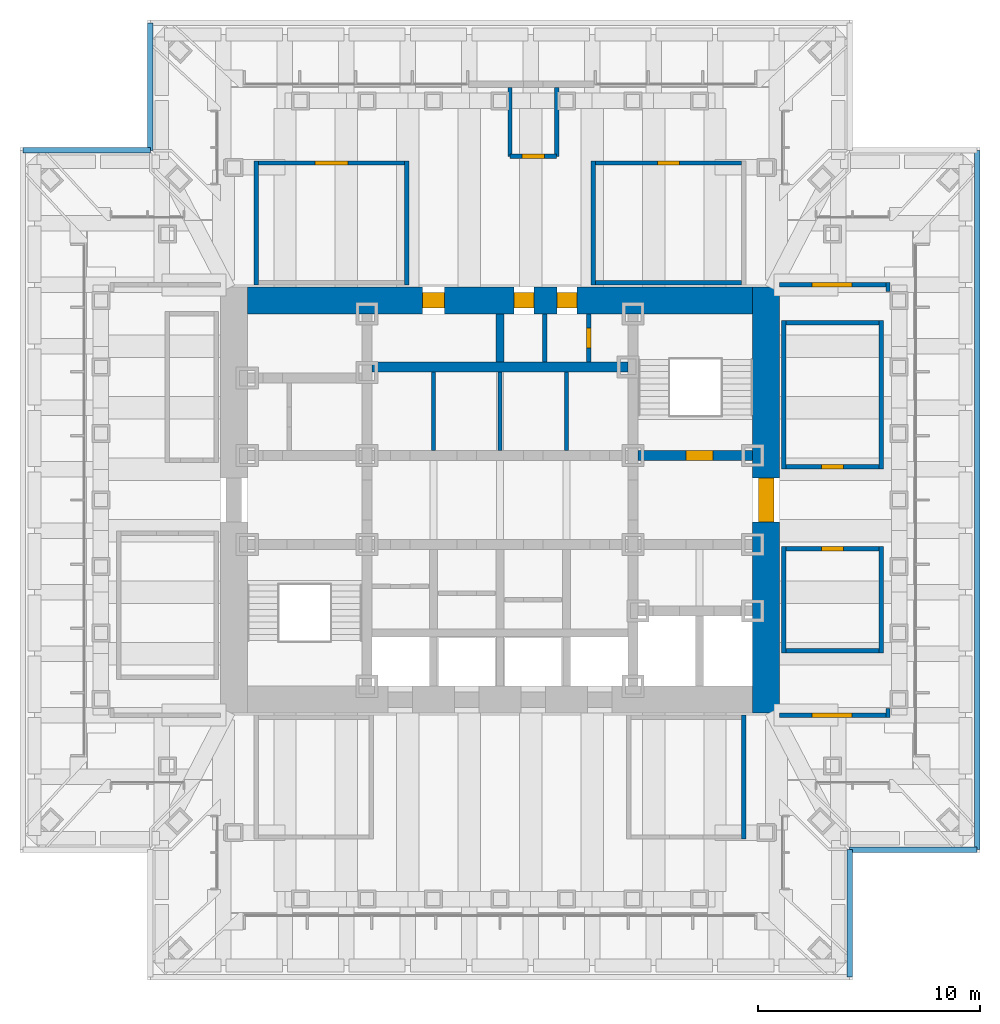
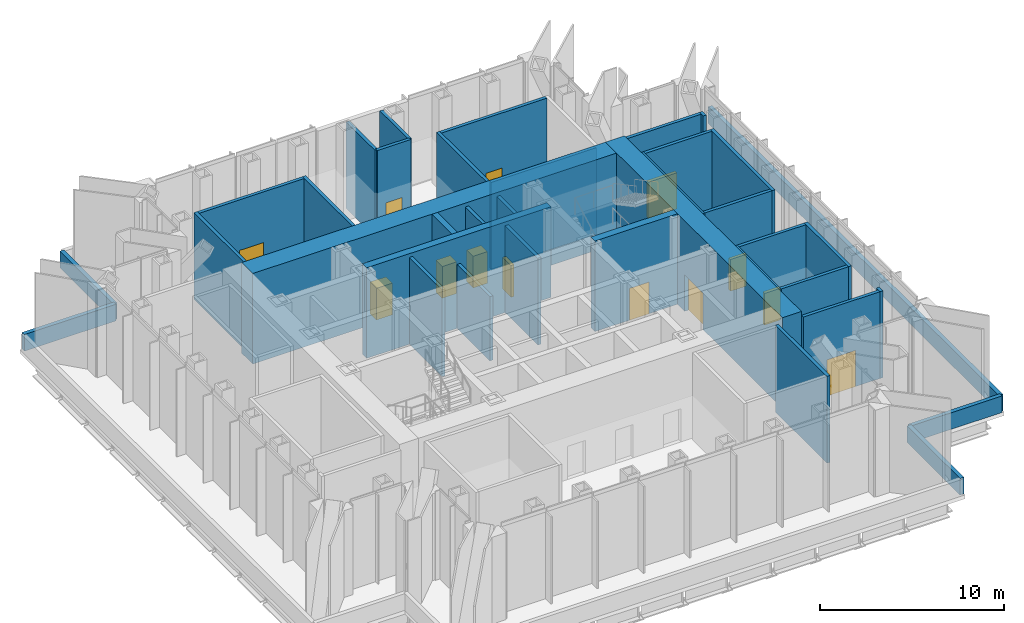
# One storey, part 10 of 13: 37 walls, 13 doors, 13 openings.
"""IFC4 building model written with IfcOpenShell, lengths in metres."""

from ifc_helpers import new_model, si_unit, direction, frame, frame_2d, origin, place, context, subcontext, project, spatial, rectangle, extrude, material, layer, layer_set, type_object, element, fill, save


model = new_model("IFC4")

# Units and contexts
model_context = context("Model", 3, precision=1e-05, world=origin(), true_north=direction((0.0, 1.0)))
body_context = subcontext(model_context, "Body", "Model", "MODEL_VIEW")
ifc_project = project(units=[si_unit("LENGTHUNIT", "METRE"), si_unit("AREAUNIT", "SQUARE_METRE"), si_unit("VOLUMEUNIT", "CUBIC_METRE"), si_unit("PLANEANGLEUNIT", "RADIAN"), si_unit("MASSUNIT", "GRAM", prefix="KILO")], contexts=[model_context])

# Site, building, storey
site_placement = place(None, origin())
site = spatial("IfcSite", under=ifc_project, at=site_placement, CompositionType="ELEMENT")
building_placement = place(site_placement, origin())
building = spatial("IfcBuilding", under=site, at=building_placement, Name="Daluyong Arena Tower", CompositionType="ELEMENT")
storey_placement = place(building_placement, frame((0.0, 0.0, 279.699951171875)))
storey = spatial("IfcBuildingStorey", under=building, at=storey_placement, Name="L63", CompositionType="ELEMENT", Elevation=279.699951171875)

# Wall, opening, door
ifc_material_1 = material(Name="Concrete fc' 45 MPa", Category="concrete")
ifc_layer_1 = layer(ifc_material_1, 0.449951171875)
ifc_layer_set_1 = layer_set([ifc_layer_1], Name="Concrete fc' 45 MPa")
wall_type_1 = type_object("IfcWallType", Name="Core inner wall 450", PredefinedType="SHEAR", material=ifc_layer_set_1)
wall_1_placement = place(storey_placement, frame((62.22509765625, 82.0, 0.0), z_axis=(0.0, 0.0, 1.0), x_axis=(1.0, 0.0, 0.0)))
wall_1 = element("IfcWall", 1, at=wall_1_placement, inside=storey, type_object=wall_type_1, Name="core inner wall at L63", PredefinedType="SHEAR", context=body_context, shape_type="SweptSolid", body=[
    extrude(rectangle(XDim=5.1748046875, YDim=0.449951171875, at=frame_2d((2.58740234375, 0.0))), origin(), (0.0, 0.0, 1.0), 6.0),
])
opening_1_placement = place(wall_1_placement, frame((2.175048828125, 0.0, 0.0)))
opening_1 = element("IfcOpeningElement", 2, at=opening_1_placement, cuts=wall_1, Name="Opening 63020", PredefinedType="OPENING", context=body_context, shape_type="SweptSolid", body=[
    extrude(rectangle(XDim=1.199951171875, YDim=2.10009765625, at=frame_2d((0.60009765625, 1.050048828125))), frame((0.0, 0.23486328125, 0.0), z_axis=(0.0, -1.0, 0.0), x_axis=(1.0, 0.0, 0.0)), (0.0, 0.0, 1.0), 0.469970703125),
])
ifc_material_2 = material(Name="Steel door, fire rated", Category="steel")
door_type_1 = type_object("IfcDoorType", Name="Stair door 1200", OperationType="SINGLE_SWING_LEFT", PredefinedType="DOOR", material=ifc_material_2)
door_1_placement = place(opening_1_placement, origin())
door_1 = element("IfcDoor", 3, at=door_1_placement, inside=storey, type_object=door_type_1, Name="stair B door 63020", OperationType="SINGLE_SWING_LEFT", OverallHeight=2.10009765625, OverallWidth=1.199951171875, PredefinedType="DOOR", context=body_context, shape_type="SweptSolid", body=[
    extrude(rectangle(XDim=1.199951171875, YDim=2.10009765625, at=frame_2d((0.60009765625, 1.050048828125))), frame((0.0, 0.224609375, 0.0), z_axis=(0.0, -1.0, 0.0), x_axis=(1.0, 0.0, 0.0)), (0.0, 0.0, 1.0), 0.449462890625),
])
fill(opening_1, door_1)

# Wall
wall_2_placement = place(storey_placement, frame((50.22509765625, 86.0, 0.0), z_axis=(0.0, 0.0, 1.0), x_axis=(1.0, 0.0, 0.0)))
element("IfcWall", 4, at=wall_2_placement, inside=storey, type_object=wall_type_1, Name="core inner wall at L63", PredefinedType="SHEAR", context=body_context, shape_type="SweptSolid", body=[
    extrude(rectangle(XDim=11.5498046875, YDim=0.449951171875, at=frame_2d((5.77490234375, 0.0))), origin(), (0.0, 0.0, 1.0), 6.0),
])

# Wall, opening, door
ifc_material_3 = material(Name="Concrete fc' 60 MPa", Category="concrete")
ifc_layer_2 = layer(ifc_material_3, 1.199951171875)
ifc_layer_set_2 = layer_set([ifc_layer_2], Name="Concrete fc' 60 MPa")
wall_type_2 = type_object("IfcWallType", Name="Core wall 1200", PredefinedType="SHEAR", material=ifc_layer_set_2)
wall_3_placement = place(storey_placement, frame((68.0, 70.39990234375, 0.0), z_axis=(0.0, 0.0, 1.0), x_axis=(0.0, 1.0, 0.0)))
wall_3 = element("IfcWall", 5, at=wall_3_placement, inside=storey, type_object=wall_type_2, Name="core wall at L63", PredefinedType="SHEAR", context=body_context, shape_type="SweptSolid", body=[
    extrude(rectangle(XDim=19.2001953125, YDim=1.199951171875, at=frame_2d((9.60009765625, 0.0))), origin(), (0.0, 0.0, 1.0), 6.0),
])
opening_2_placement = place(wall_3_placement, frame((8.60009765625, 0.0, 0.0)))
opening_2 = element("IfcOpeningElement", 6, at=opening_2_placement, cuts=wall_3, Name="Opening 63022", PredefinedType="OPENING", context=body_context, shape_type="SweptSolid", body=[
    extrude(rectangle(XDim=2.0, YDim=2.39990234375, at=frame_2d((1.0, 1.199951171875))), frame((0.0, 0.60986328125, 0.0), z_axis=(0.0, -1.0, 0.0), x_axis=(1.0, 0.0, 0.0)), (0.0, 0.0, 1.0), 1.219970703125),
])
ifc_material_4 = material(Name="Steel door, fire rated", Category="steel")
door_type_2 = type_object("IfcDoorType", Name="Core lobby double door 2000", OperationType="DOUBLE_DOOR_SINGLE_SWING", PredefinedType="DOOR", material=ifc_material_4)
door_2_placement = place(opening_2_placement, origin())
door_2 = element("IfcDoor", 7, at=door_2_placement, inside=storey, type_object=door_type_2, Name="core lobby door east 63022", OperationType="DOUBLE_DOOR_SINGLE_SWING", OverallHeight=2.39990234375, OverallWidth=2.0, PredefinedType="DOOR", context=body_context, shape_type="SweptSolid", body=[
    extrude(rectangle(XDim=2.0, YDim=2.39990234375, at=frame_2d((1.0, 1.199951171875))), frame((0.0, 0.35009765625, 0.0), z_axis=(0.0, -1.0, 0.0), x_axis=(1.0, 0.0, 0.0)), (0.0, 0.0, 1.0), 0.699951171875),
])
fill(opening_2, door_2)

# Wall, openings, doors
wall_4_placement = place(storey_placement, frame((44.60009765625, 89.0, 0.0), z_axis=(0.0, 0.0, 1.0), x_axis=(1.0, 0.0, 0.0)))
wall_4 = element("IfcWall", 8, at=wall_4_placement, inside=storey, type_object=wall_type_2, Name="core wall at L63", PredefinedType="SHEAR", context=body_context, shape_type="SweptSolid", body=[
    extrude(rectangle(XDim=22.7998046875, YDim=1.199951171875, at=frame_2d((11.39990234375, 0.0))), origin(), (0.0, 0.0, 1.0), 6.0),
])
opening_3_placement = place(wall_4_placement, frame((7.89990234375, 0.0, 0.0)))
opening_3 = element("IfcOpeningElement", 9, at=opening_3_placement, cuts=wall_4, Name="Opening 63004", PredefinedType="OPENING", context=body_context, shape_type="SweptSolid", body=[
    extrude(rectangle(XDim=1.0, YDim=2.10009765625, at=frame_2d((0.5, 1.050048828125))), frame((0.0, 0.60986328125, 0.0), z_axis=(0.0, -1.0, 0.0), x_axis=(1.0, 0.0, 0.0)), (0.0, 0.0, 1.0), 1.219970703125),
])
opening_4_placement = place(wall_4_placement, frame((12.02490234375, 0.0, 0.0)))
opening_4 = element("IfcOpeningElement", 10, at=opening_4_placement, cuts=wall_4, Name="Opening 63005", PredefinedType="OPENING", context=body_context, shape_type="SweptSolid", body=[
    extrude(rectangle(XDim=0.89990234375, YDim=2.10009765625, at=frame_2d((0.449951171875, 1.050048828125))), frame((0.0, 0.60986328125, 0.0), z_axis=(0.0, -1.0, 0.0), x_axis=(1.0, 0.0, 0.0)), (0.0, 0.0, 1.0), 1.219970703125),
])
opening_5_placement = place(wall_4_placement, frame((13.96240234375, 0.0, 0.0)))
opening_5 = element("IfcOpeningElement", 11, at=opening_5_placement, cuts=wall_4, Name="Opening 63006", PredefinedType="OPENING", context=body_context, shape_type="SweptSolid", body=[
    extrude(rectangle(XDim=0.89990234375, YDim=2.10009765625, at=frame_2d((0.449951171875, 1.050048828125))), frame((0.0, 0.60986328125, 0.0), z_axis=(0.0, -1.0, 0.0), x_axis=(1.0, 0.0, 0.0)), (0.0, 0.0, 1.0), 1.219970703125),
])
ifc_material_5 = material(Name="Timber door", Category="wood")
door_type_3 = type_object("IfcDoorType", Name="Accessible toilet door 1000", OperationType="SINGLE_SWING_LEFT", PredefinedType="DOOR", material=ifc_material_5)
door_3_placement = place(opening_3_placement, origin())
door_3 = element("IfcDoor", 12, at=door_3_placement, inside=storey, type_object=door_type_3, Name="accessible toilet door 63004", OperationType="SINGLE_SWING_LEFT", OverallHeight=2.10009765625, OverallWidth=1.0, PredefinedType="DOOR", context=body_context, shape_type="SweptSolid", body=[
    extrude(rectangle(XDim=1.0, YDim=2.10009765625, at=frame_2d((0.5, 1.050048828125))), frame((0.0, 0.35009765625, 0.0), z_axis=(0.0, -1.0, 0.0), x_axis=(1.0, 0.0, 0.0)), (0.0, 0.0, 1.0), 0.699951171875),
])
fill(opening_3, door_3)
ifc_material_6 = material(Name="Steel door, fire rated", Category="steel")
door_type_4 = type_object("IfcDoorType", Name="Core store door 900", OperationType="SINGLE_SWING_LEFT", PredefinedType="DOOR", material=ifc_material_6)
door_4_placement = place(opening_4_placement, origin())
door_4 = element("IfcDoor", 13, at=door_4_placement, inside=storey, type_object=door_type_4, Name="furniture store door 63005", OperationType="SINGLE_SWING_LEFT", OverallHeight=2.10009765625, OverallWidth=0.89990234375, PredefinedType="DOOR", context=body_context, shape_type="SweptSolid", body=[
    extrude(rectangle(XDim=0.89990234375, YDim=2.10009765625, at=frame_2d((0.449951171875, 1.050048828125))), frame((0.0, 0.35009765625, 0.0), z_axis=(0.0, -1.0, 0.0), x_axis=(1.0, 0.0, 0.0)), (0.0, 0.0, 1.0), 0.699951171875),
])
fill(opening_4, door_4)
door_5_placement = place(opening_5_placement, origin())
door_5 = element("IfcDoor", 14, at=door_5_placement, inside=storey, type_object=door_type_4, Name="security store door 63006", OperationType="SINGLE_SWING_LEFT", OverallHeight=2.10009765625, OverallWidth=0.89990234375, PredefinedType="DOOR", context=body_context, shape_type="SweptSolid", body=[
    extrude(rectangle(XDim=0.89990234375, YDim=2.10009765625, at=frame_2d((0.449951171875, 1.050048828125))), frame((0.0, 0.35009765625, 0.0), z_axis=(0.0, -1.0, 0.0), x_axis=(1.0, 0.0, 0.0)), (0.0, 0.0, 1.0), 0.699951171875),
])
fill(opening_5, door_5)

# Wall, opening, door
ifc_material_7 = material(Name="Concrete block partition, fire rated", Category="concrete")
ifc_layer_3 = layer(ifc_material_7, 0.199951171875)
ifc_layer_set_3 = layer_set([ifc_layer_3], Name="Concrete block partition, fire rated")
wall_type_3 = type_object("IfcWallType", Name="Fire-rated partition 200", PredefinedType="PARTITIONING", material=ifc_layer_set_3)
wall_5_placement = place(storey_placement, frame((60.0, 86.22509765625, 0.0), z_axis=(0.0, 0.0, 1.0), x_axis=(0.0, 1.0, 0.0)))
wall_5 = element("IfcWall", 15, at=wall_5_placement, inside=storey, type_object=wall_type_3, Name="electrical riser enclosure at L63", PredefinedType="PARTITIONING", context=body_context, shape_type="SweptSolid", body=[
    extrude(rectangle(XDim=2.1748046875, YDim=0.199951171875, at=frame_2d((1.08740234375, 0.0))), origin(), (0.0, 0.0, 1.0), 5.75),
])
opening_6_placement = place(wall_5_placement, frame((0.637451171875, 0.0, 0.0)))
opening_6 = element("IfcOpeningElement", 16, at=opening_6_placement, cuts=wall_5, Name="Opening 63007", PredefinedType="OPENING", context=body_context, shape_type="SweptSolid", body=[
    extrude(rectangle(XDim=0.89990234375, YDim=2.10009765625, at=frame_2d((0.449951171875, 1.050048828125))), frame((0.0, 0.10986328125, 0.0), z_axis=(0.0, -1.0, 0.0), x_axis=(1.0, 0.0, 0.0)), (0.0, 0.0, 1.0), 0.219970703125),
])
ifc_material_8 = material(Name="Steel door, fire rated", Category="steel")
door_type_5 = type_object("IfcDoorType", Name="Riser door 900", OperationType="SINGLE_SWING_LEFT", PredefinedType="DOOR", material=ifc_material_8)
door_6_placement = place(opening_6_placement, origin())
door_6 = element("IfcDoor", 17, at=door_6_placement, inside=storey, type_object=door_type_5, Name="riser door 63007", OperationType="SINGLE_SWING_LEFT", OverallHeight=2.10009765625, OverallWidth=0.89990234375, PredefinedType="DOOR", context=body_context, shape_type="SweptSolid", body=[
    extrude(rectangle(XDim=0.89990234375, YDim=2.10009765625, at=frame_2d((0.449951171875, 1.050048828125))), frame((0.0, 0.099609375, 0.0), z_axis=(0.0, -1.0, 0.0), x_axis=(1.0, 0.0, 0.0)), (0.0, 0.0, 1.0), 0.199462890625),
])
fill(opening_6, door_6)

# Walls
wall_6_placement = place(storey_placement, frame((58.02490234375, 86.22509765625, 0.0), z_axis=(0.0, 0.0, 1.0), x_axis=(0.0, 1.0, 0.0)))
element("IfcWall", 18, at=wall_6_placement, inside=storey, type_object=wall_type_3, Name="core room partition at L63", PredefinedType="PARTITIONING", context=body_context, shape_type="SweptSolid", body=[
    extrude(rectangle(XDim=2.1748046875, YDim=0.199951171875, at=frame_2d((1.08740234375, 0.0))), origin(), (0.0, 0.0, 1.0), 5.75),
])
wall_7_placement = place(storey_placement, frame((53.0, 82.22509765625, 0.0), z_axis=(0.0, 0.0, 1.0), x_axis=(0.0, 1.0, 0.0)))
element("IfcWall", 19, at=wall_7_placement, inside=storey, type_object=wall_type_3, Name="core room partition at L63", PredefinedType="PARTITIONING", context=body_context, shape_type="SweptSolid", body=[
    extrude(rectangle(XDim=3.5498046875, YDim=0.199951171875, at=frame_2d((1.77490234375, 0.0))), origin(), (0.0, 0.0, 1.0), 5.75),
])
wall_8_placement = place(storey_placement, frame((56.0, 82.22509765625, 0.0), z_axis=(0.0, 0.0, 1.0), x_axis=(0.0, 1.0, 0.0)))
element("IfcWall", 20, at=wall_8_placement, inside=storey, type_object=wall_type_3, Name="core room partition at L63", PredefinedType="PARTITIONING", context=body_context, shape_type="SweptSolid", body=[
    extrude(rectangle(XDim=3.5498046875, YDim=0.199951171875, at=frame_2d((1.77490234375, 0.0))), origin(), (0.0, 0.0, 1.0), 4.25),
])
wall_9_placement = place(storey_placement, frame((59.0, 82.22509765625, 0.0), z_axis=(0.0, 0.0, 1.0), x_axis=(0.0, 1.0, 0.0)))
element("IfcWall", 21, at=wall_9_placement, inside=storey, type_object=wall_type_3, Name="core room partition at L63", PredefinedType="PARTITIONING", context=body_context, shape_type="SweptSolid", body=[
    extrude(rectangle(XDim=3.5498046875, YDim=0.199951171875, at=frame_2d((1.77490234375, 0.0))), origin(), (0.0, 0.0, 1.0), 5.75),
])
for number, where, z_axis, x_axis, name in (
    (22, (45.0, 89.699951171875, 0.0), (0.0, 0.0, 1.0), (0.0, 1.0, 0.0), "plant room partition at L63"),
    (23, (51.800048828125, 89.699951171875, 0.0), (0.0, 0.0, 1.0), (0.0, 1.0, 0.0), "plant room partition at L63"),
):
    element("IfcWall", number, at=place(storey_placement, frame(where, z_axis=z_axis, x_axis=x_axis)), inside=storey, type_object=wall_type_3, Name=name, PredefinedType="PARTITIONING", context=body_context, shape_type="SweptSolid", body=[
        extrude(rectangle(XDim=5.60009765625, YDim=0.199951171875, at=frame_2d((2.800048828125, 0.0))), origin(), (0.0, 0.0, 1.0), 5.75),
    ])

# Wall, opening, door
wall_10_placement = place(storey_placement, frame((45.10009765625, 95.199951171875, 0.0), z_axis=(0.0, 0.0, 1.0), x_axis=(1.0, 0.0, 0.0)))
wall_10 = element("IfcWall", 24, at=wall_10_placement, inside=storey, type_object=wall_type_3, Name="plant room partition at L63", PredefinedType="PARTITIONING", context=body_context, shape_type="SweptSolid", body=[
    extrude(rectangle(XDim=6.599853515625, YDim=0.199951171875, at=frame_2d((3.2998046875, 0.0))), origin(), (0.0, 0.0, 1.0), 5.75),
])
opening_7_placement = place(wall_10_placement, frame((2.550048828125, 0.0, 0.0)))
opening_7 = element("IfcOpeningElement", 25, at=opening_7_placement, cuts=wall_10, Name="Opening 63036", PredefinedType="OPENING", context=body_context, shape_type="SweptSolid", body=[
    extrude(rectangle(XDim=1.5, YDim=2.39990234375, at=frame_2d((0.75, 1.199951171875))), frame((0.0, 0.10986328125, 0.0), z_axis=(0.0, -1.0, 0.0), x_axis=(1.0, 0.0, 0.0)), (0.0, 0.0, 1.0), 0.219970703125),
])
ifc_material_9 = material(Name="Steel door, fire rated", Category="steel")
door_type_6 = type_object("IfcDoorType", Name="Plant room door 1500", OperationType="DOUBLE_DOOR_SINGLE_SWING", PredefinedType="DOOR", material=ifc_material_9)
door_7_placement = place(opening_7_placement, origin())
door_7 = element("IfcDoor", 26, at=door_7_placement, inside=storey, type_object=door_type_6, Name="plant room door 63036", OperationType="DOUBLE_DOOR_SINGLE_SWING", OverallHeight=2.39990234375, OverallWidth=1.5, PredefinedType="DOOR", context=body_context, shape_type="SweptSolid", body=[
    extrude(rectangle(XDim=1.5, YDim=2.39990234375, at=frame_2d((0.75, 1.199951171875))), frame((0.0, 0.099609375, 0.0), z_axis=(0.0, -1.0, 0.0), x_axis=(1.0, 0.0, 0.0)), (0.0, 0.0, 1.0), 0.199462890625),
])
fill(opening_7, door_7)

# Walls
wall_11_placement = place(storey_placement, frame((67.0, 64.699951171875, 0.0), z_axis=(0.0, 0.0, 1.0), x_axis=(0.0, 1.0, 0.0)))
element("IfcWall", 27, at=wall_11_placement, inside=storey, type_object=wall_type_3, Name="plant room partition at L63", PredefinedType="PARTITIONING", context=body_context, shape_type="SweptSolid", body=[
    extrude(rectangle(XDim=5.60009765625, YDim=0.199951171875, at=frame_2d((2.800048828125, 0.0))), origin(), (0.0, 0.0, 1.0), 5.75),
])
ifc_material_10 = material(Name="Concrete fc' 45 MPa", Category="concrete")
ifc_layer_4 = layer(ifc_material_10, 0.35009765625)
ifc_layer_set_4 = layer_set([ifc_layer_4], Name="Concrete fc' 45 MPa")
wall_type_4 = type_object("IfcWallType", Name="Lift shaft wall 350", PredefinedType="SHEAR", material=ifc_layer_set_4)
wall_12_placement = place(storey_placement, frame((56.0, 86.22509765625, 0.0), z_axis=(0.0, 0.0, 1.0), x_axis=(0.0, 1.0, 0.0)))
element("IfcWall", 28, at=wall_12_placement, inside=storey, type_object=wall_type_4, Name="lift shaft wall at L63", PredefinedType="SHEAR", context=body_context, shape_type="SweptSolid", body=[
    extrude(rectangle(XDim=2.1748046875, YDim=0.35009765625, at=frame_2d((1.08740234375, 0.0))), origin(), (0.0, 0.0, 1.0), 6.0),
])
ifc_material_11 = material(Name="Concrete block partition", Category="concrete")
ifc_layer_5 = layer(ifc_material_11, 0.199951171875)
ifc_layer_set_5 = layer_set([ifc_layer_5], Name="Concrete block partition")
wall_type_5 = type_object("IfcWallType", Name="Partition 200", PredefinedType="PARTITIONING", material=ifc_layer_set_5)
for number, where, z_axis, x_axis, name in (
    (29, (68.800048828125, 81.39990234375, 0.0), (0.0, 0.0, 1.0), (0.0, 1.0, 0.0), "deck store partition at L63"),
    (30, (73.199951171875, 81.39990234375, 0.0), (0.0, 0.0, 1.0), (0.0, 1.0, 0.0), "deck store partition at L63"),
):
    element("IfcWall", number, at=place(storey_placement, frame(where, z_axis=z_axis, x_axis=x_axis)), inside=storey, type_object=wall_type_5, Name=name, PredefinedType="PARTITIONING", context=body_context, shape_type="SweptSolid", body=[
        extrude(rectangle(XDim=6.7001953125, YDim=0.199951171875, at=frame_2d((3.35009765625, 0.0))), origin(), (0.0, 0.0, 1.0), 5.75),
    ])

# Wall, opening, door
wall_13_placement = place(storey_placement, frame((68.89990234375, 81.5, 0.0), z_axis=(0.0, 0.0, 1.0), x_axis=(1.0, 0.0, 0.0)))
wall_13 = element("IfcWall", 31, at=wall_13_placement, inside=storey, type_object=wall_type_5, Name="deck store partition at L63", PredefinedType="PARTITIONING", context=body_context, shape_type="SweptSolid", body=[
    extrude(rectangle(XDim=4.2001953125, YDim=0.199951171875, at=frame_2d((2.10009765625, 0.0))), origin(), (0.0, 0.0, 1.0), 5.75),
])
opening_8_placement = place(wall_13_placement, frame((1.60009765625, 0.0, 0.0)))
opening_8 = element("IfcOpeningElement", 32, at=opening_8_placement, cuts=wall_13, Name="Opening 63033", PredefinedType="OPENING", context=body_context, shape_type="SweptSolid", body=[
    extrude(rectangle(XDim=1.0, YDim=2.10009765625, at=frame_2d((0.5, 1.050048828125))), frame((0.0, 0.10986328125, 0.0), z_axis=(0.0, -1.0, 0.0), x_axis=(1.0, 0.0, 0.0)), (0.0, 0.0, 1.0), 0.219970703125),
])
ifc_material_12 = material(Name="Timber door", Category="wood")
door_type_7 = type_object("IfcDoorType", Name="Room door 1000", OperationType="SINGLE_SWING_LEFT", PredefinedType="DOOR", material=ifc_material_12)
door_8_placement = place(opening_8_placement, origin())
door_8 = element("IfcDoor", 33, at=door_8_placement, inside=storey, type_object=door_type_7, Name="deck store door 63033", OperationType="SINGLE_SWING_LEFT", OverallHeight=2.10009765625, OverallWidth=1.0, PredefinedType="DOOR", context=body_context, shape_type="SweptSolid", body=[
    extrude(rectangle(XDim=1.0, YDim=2.10009765625, at=frame_2d((0.5, 1.050048828125))), frame((0.0, 0.099609375, 0.0), z_axis=(0.0, -1.0, 0.0), x_axis=(1.0, 0.0, 0.0)), (0.0, 0.0, 1.0), 0.199462890625),
])
fill(opening_8, door_8)

# Walls
wall_14_placement = place(storey_placement, frame((68.89990234375, 88.0, 0.0), z_axis=(0.0, 0.0, 1.0), x_axis=(1.0, 0.0, 0.0)))
element("IfcWall", 34, at=wall_14_placement, inside=storey, type_object=wall_type_5, Name="deck store partition at L63", PredefinedType="PARTITIONING", context=body_context, shape_type="SweptSolid", body=[
    extrude(rectangle(XDim=4.2001953125, YDim=0.199951171875, at=frame_2d((2.10009765625, 0.0))), origin(), (0.0, 0.0, 1.0), 5.75),
])
for number, where, z_axis, x_axis, name in (
    (35, (68.800048828125, 73.10009765625, 0.0), (0.0, 0.0, 1.0), (0.0, 1.0, 0.0), "deck first aid room partition at L63"),
    (36, (73.199951171875, 73.10009765625, 0.0), (0.0, 0.0, 1.0), (0.0, 1.0, 0.0), "deck first aid room partition at L63"),
):
    element("IfcWall", number, at=place(storey_placement, frame(where, z_axis=z_axis, x_axis=x_axis)), inside=storey, type_object=wall_type_5, Name=name, PredefinedType="PARTITIONING", context=body_context, shape_type="SweptSolid", body=[
        extrude(rectangle(XDim=4.7998046875, YDim=0.199951171875, at=frame_2d((2.39990234375, 0.0))), origin(), (0.0, 0.0, 1.0), 5.75),
    ])
wall_15_placement = place(storey_placement, frame((68.89990234375, 73.199951171875, 0.0), z_axis=(0.0, 0.0, 1.0), x_axis=(1.0, 0.0, 0.0)))
element("IfcWall", 37, at=wall_15_placement, inside=storey, type_object=wall_type_5, Name="deck first aid room partition at L63", PredefinedType="PARTITIONING", context=body_context, shape_type="SweptSolid", body=[
    extrude(rectangle(XDim=4.2001953125, YDim=0.199951171875, at=frame_2d((2.10009765625, 0.0))), origin(), (0.0, 0.0, 1.0), 5.75),
])

# Wall, opening, door
wall_16_placement = place(storey_placement, frame((68.89990234375, 77.800048828125, 0.0), z_axis=(0.0, 0.0, 1.0), x_axis=(1.0, 0.0, 0.0)))
wall_16 = element("IfcWall", 38, at=wall_16_placement, inside=storey, type_object=wall_type_5, Name="deck first aid room partition at L63", PredefinedType="PARTITIONING", context=body_context, shape_type="SweptSolid", body=[
    extrude(rectangle(XDim=4.2001953125, YDim=0.199951171875, at=frame_2d((2.10009765625, 0.0))), origin(), (0.0, 0.0, 1.0), 5.75),
])
opening_9_placement = place(wall_16_placement, frame((1.60009765625, 0.0, 0.0)))
opening_9 = element("IfcOpeningElement", 39, at=opening_9_placement, cuts=wall_16, Name="Opening 63035", PredefinedType="OPENING", context=body_context, shape_type="SweptSolid", body=[
    extrude(rectangle(XDim=1.0, YDim=2.10009765625, at=frame_2d((0.5, 1.050048828125))), frame((0.0, 0.10986328125, 0.0), z_axis=(0.0, -1.0, 0.0), x_axis=(1.0, 0.0, 0.0)), (0.0, 0.0, 1.0), 0.219970703125),
])
door_9_placement = place(opening_9_placement, origin())
door_9 = element("IfcDoor", 40, at=door_9_placement, inside=storey, type_object=door_type_7, Name="deck first aid room door 63035", OperationType="SINGLE_SWING_LEFT", OverallHeight=2.10009765625, OverallWidth=1.0, PredefinedType="DOOR", context=body_context, shape_type="SweptSolid", body=[
    extrude(rectangle(XDim=1.0, YDim=2.10009765625, at=frame_2d((0.5, 1.050048828125))), frame((0.0, 0.099609375, 0.0), z_axis=(0.0, -1.0, 0.0), x_axis=(1.0, 0.0, 0.0)), (0.0, 0.0, 1.0), 0.199462890625),
])
fill(opening_9, door_9)

# Walls
wall_17_placement = place(storey_placement, frame((60.199951171875, 89.699951171875, 0.0), z_axis=(0.0, 0.0, 1.0), x_axis=(0.0, 1.0, 0.0)))
element("IfcWall", 41, at=wall_17_placement, inside=storey, type_object=wall_type_5, Name="deck kitchen partition at L63", PredefinedType="PARTITIONING", context=body_context, shape_type="SweptSolid", body=[
    extrude(rectangle(XDim=5.60009765625, YDim=0.199951171875, at=frame_2d((2.800048828125, 0.0))), origin(), (0.0, 0.0, 1.0), 5.75),
])
wall_18_placement = place(storey_placement, frame((60.300048828125, 89.800048828125, 0.0), z_axis=(0.0, 0.0, 1.0), x_axis=(1.0, 0.0, 0.0)))
element("IfcWall", 42, at=wall_18_placement, inside=storey, type_object=wall_type_5, Name="deck kitchen partition at L63", PredefinedType="PARTITIONING", context=body_context, shape_type="SweptSolid", body=[
    extrude(rectangle(XDim=6.599853515625, YDim=0.199951171875, at=frame_2d((3.2998046875, 0.0))), origin(), (0.0, 0.0, 1.0), 5.75),
])

# Wall, opening, door
wall_19_placement = place(storey_placement, frame((60.300048828125, 95.199951171875, 0.0), z_axis=(0.0, 0.0, 1.0), x_axis=(1.0, 0.0, 0.0)))
wall_19 = element("IfcWall", 43, at=wall_19_placement, inside=storey, type_object=wall_type_5, Name="deck kitchen partition at L63", PredefinedType="PARTITIONING", context=body_context, shape_type="SweptSolid", body=[
    extrude(rectangle(XDim=6.599853515625, YDim=0.199951171875, at=frame_2d((3.2998046875, 0.0))), origin(), (0.0, 0.0, 1.0), 5.75),
])
opening_10_placement = place(wall_19_placement, frame((2.800048828125, 0.0, 0.0)))
opening_10 = element("IfcOpeningElement", 44, at=opening_10_placement, cuts=wall_19, Name="Opening 63038", PredefinedType="OPENING", context=body_context, shape_type="SweptSolid", body=[
    extrude(rectangle(XDim=1.0, YDim=2.10009765625, at=frame_2d((0.5, 1.050048828125))), frame((0.0, 0.10986328125, 0.0), z_axis=(0.0, -1.0, 0.0), x_axis=(1.0, 0.0, 0.0)), (0.0, 0.0, 1.0), 0.219970703125),
])
door_10_placement = place(opening_10_placement, origin())
door_10 = element("IfcDoor", 45, at=door_10_placement, inside=storey, type_object=door_type_7, Name="deck kitchen door 63038", OperationType="SINGLE_SWING_LEFT", OverallHeight=2.10009765625, OverallWidth=1.0, PredefinedType="DOOR", context=body_context, shape_type="SweptSolid", body=[
    extrude(rectangle(XDim=1.0, YDim=2.10009765625, at=frame_2d((0.5, 1.050048828125))), frame((0.0, 0.099609375, 0.0), z_axis=(0.0, -1.0, 0.0), x_axis=(1.0, 0.0, 0.0)), (0.0, 0.0, 1.0), 0.199462890625),
])
fill(opening_10, door_10)

wall_20_placement = place(storey_placement, frame((68.60009765625, 70.300048828125, 0.0), z_axis=(0.0, 0.0, 1.0), x_axis=(1.0, 0.0, 0.0)))
wall_20 = element("IfcWall", 46, at=wall_20_placement, inside=storey, type_object=wall_type_5, Name="deck partition at L63", PredefinedType="PARTITIONING", context=body_context, shape_type="SweptSolid", body=[
    extrude(rectangle(XDim=4.7998046875, YDim=0.199951171875, at=frame_2d((2.39990234375, 0.0))), origin(), (0.0, 0.0, 1.0), 5.75),
])
opening_11_placement = place(wall_20_placement, frame((1.47509765625, 0.0, 0.0)))
opening_11 = element("IfcOpeningElement", 47, at=opening_11_placement, cuts=wall_20, Name="Opening 63041", PredefinedType="OPENING", context=body_context, shape_type="SweptSolid", body=[
    extrude(rectangle(XDim=1.800048828125, YDim=2.39990234375, at=frame_2d((0.89990234375, 1.199951171875))), frame((0.0, 0.10986328125, 0.0), z_axis=(0.0, -1.0, 0.0), x_axis=(1.0, 0.0, 0.0)), (0.0, 0.0, 1.0), 0.219970703125),
])
ifc_material_13 = material(Name="Timber door", Category="wood")
door_type_8 = type_object("IfcDoorType", Name="Assembly double door 1800", OperationType="DOUBLE_DOOR_DOUBLE_SWING", PredefinedType="DOOR", material=ifc_material_13)
door_11_placement = place(opening_11_placement, origin())
door_11 = element("IfcDoor", 48, at=door_11_placement, inside=storey, type_object=door_type_8, Name="deck lounge door east 63041", OperationType="DOUBLE_DOOR_DOUBLE_SWING", OverallHeight=2.39990234375, OverallWidth=1.800048828125, PredefinedType="DOOR", context=body_context, shape_type="SweptSolid", body=[
    extrude(rectangle(XDim=1.800048828125, YDim=2.39990234375, at=frame_2d((0.89990234375, 1.199951171875))), frame((0.0, 0.099609375, 0.0), z_axis=(0.0, -1.0, 0.0), x_axis=(1.0, 0.0, 0.0)), (0.0, 0.0, 1.0), 0.199462890625),
])
fill(opening_11, door_11)

# Wall
wall_21_placement = place(storey_placement, frame((73.5, 70.199951171875, 0.0), z_axis=(0.0, 0.0, 1.0), x_axis=(0.0, 1.0, 0.0)))
element("IfcWall", 49, at=wall_21_placement, inside=storey, type_object=wall_type_5, Name="deck partition return at L63", PredefinedType="PARTITIONING", context=body_context, shape_type="SweptSolid", body=[
    extrude(rectangle(XDim=0.400146484375, YDim=0.199951171875, at=frame_2d((0.2001953125, 0.0))), origin(), (0.0, 0.0, 1.0), 5.75),
])

# Wall, opening, door
wall_22_placement = place(storey_placement, frame((68.60009765625, 89.699951171875, 0.0), z_axis=(0.0, 0.0, 1.0), x_axis=(1.0, 0.0, 0.0)))
wall_22 = element("IfcWall", 50, at=wall_22_placement, inside=storey, type_object=wall_type_5, Name="deck partition at L63", PredefinedType="PARTITIONING", context=body_context, shape_type="SweptSolid", body=[
    extrude(rectangle(XDim=4.7998046875, YDim=0.199951171875, at=frame_2d((2.39990234375, 0.0))), origin(), (0.0, 0.0, 1.0), 5.75),
])
opening_12_placement = place(wall_22_placement, frame((1.47509765625, 0.0, 0.0)))
opening_12 = element("IfcOpeningElement", 51, at=opening_12_placement, cuts=wall_22, Name="Opening 63043", PredefinedType="OPENING", context=body_context, shape_type="SweptSolid", body=[
    extrude(rectangle(XDim=1.800048828125, YDim=2.39990234375, at=frame_2d((0.89990234375, 1.199951171875))), frame((0.0, 0.10986328125, 0.0), z_axis=(0.0, -1.0, 0.0), x_axis=(1.0, 0.0, 0.0)), (0.0, 0.0, 1.0), 0.219970703125),
])
door_12_placement = place(opening_12_placement, origin())
door_12 = element("IfcDoor", 52, at=door_12_placement, inside=storey, type_object=door_type_8, Name="deck cafe door east 63043", OperationType="DOUBLE_DOOR_DOUBLE_SWING", OverallHeight=2.39990234375, OverallWidth=1.800048828125, PredefinedType="DOOR", context=body_context, shape_type="SweptSolid", body=[
    extrude(rectangle(XDim=1.800048828125, YDim=2.39990234375, at=frame_2d((0.89990234375, 1.199951171875))), frame((0.0, 0.099609375, 0.0), z_axis=(0.0, -1.0, 0.0), x_axis=(1.0, 0.0, 0.0)), (0.0, 0.0, 1.0), 0.199462890625),
])
fill(opening_12, door_12)

# Wall
wall_23_placement = place(storey_placement, frame((73.5, 89.800048828125, 0.0), z_axis=(0.0, 0.0, 1.0), x_axis=(0.0, -1.0, 0.0)))
element("IfcWall", 53, at=wall_23_placement, inside=storey, type_object=wall_type_5, Name="deck partition return at L63", PredefinedType="PARTITIONING", context=body_context, shape_type="SweptSolid", body=[
    extrude(rectangle(XDim=0.400146484375, YDim=0.199951171875, at=frame_2d((0.2001953125, 0.0))), origin(), (0.0, 0.0, 1.0), 5.75),
])

# Wall, opening, door
wall_24_placement = place(storey_placement, frame((56.449951171875, 95.5, 0.0), z_axis=(0.0, 0.0, 1.0), x_axis=(1.0, 0.0, 0.0)))
wall_24 = element("IfcWall", 54, at=wall_24_placement, inside=storey, type_object=wall_type_5, Name="facade maintenance store partition at L63", PredefinedType="PARTITIONING", context=body_context, shape_type="SweptSolid", body=[
    extrude(rectangle(XDim=2.10009765625, YDim=0.199951171875, at=frame_2d((1.050048828125, 0.0))), origin(), (0.0, 0.0, 1.0), 5.75),
])
opening_13_placement = place(wall_24_placement, frame((0.550048828125, 0.0, 0.0)))
opening_13 = element("IfcOpeningElement", 55, at=opening_13_placement, cuts=wall_24, Name="Opening 63044", PredefinedType="OPENING", context=body_context, shape_type="SweptSolid", body=[
    extrude(rectangle(XDim=1.0, YDim=2.10009765625, at=frame_2d((0.5, 1.050048828125))), frame((0.0, 0.10986328125, 0.0), z_axis=(0.0, -1.0, 0.0), x_axis=(1.0, 0.0, 0.0)), (0.0, 0.0, 1.0), 0.219970703125),
])
door_13_placement = place(opening_13_placement, origin())
door_13 = element("IfcDoor", 56, at=door_13_placement, inside=storey, type_object=door_type_7, Name="facade maintenance store door 63044", OperationType="SINGLE_SWING_LEFT", OverallHeight=2.10009765625, OverallWidth=1.0, PredefinedType="DOOR", context=body_context, shape_type="SweptSolid", body=[
    extrude(rectangle(XDim=1.0, YDim=2.10009765625, at=frame_2d((0.5, 1.050048828125))), frame((0.0, 0.099609375, 0.0), z_axis=(0.0, -1.0, 0.0), x_axis=(1.0, 0.0, 0.0)), (0.0, 0.0, 1.0), 0.199462890625),
])
fill(opening_13, door_13)

# Walls
for number, where, z_axis, x_axis, name in (
    (57, (56.449951171875, 98.60009765625, 0.0), (0.0, 0.0, 1.0), (0.0, -1.0, 0.0), "facade maintenance store partition at L63"),
    (58, (58.550048828125, 98.60009765625, 0.0), (0.0, 0.0, 1.0), (0.0, -1.0, 0.0), "facade maintenance store partition at L63"),
):
    element("IfcWall", number, at=place(storey_placement, frame(where, z_axis=z_axis, x_axis=x_axis)), inside=storey, type_object=wall_type_5, Name=name, PredefinedType="PARTITIONING", context=body_context, shape_type="SweptSolid", body=[
        extrude(rectangle(XDim=3.10009765625, YDim=0.199951171875, at=frame_2d((1.550048828125, 0.0))), origin(), (0.0, 0.0, 1.0), 5.75),
    ])
ifc_material_14 = material(Name="Precast concrete fc' 45 MPa", Category="concrete")
ifc_layer_6 = layer(ifc_material_14, 0.25)
ifc_layer_set_6 = layer_set([ifc_layer_6], Name="Precast concrete fc' 45 MPa")
wall_type_6 = type_object("IfcWallType", Name="Setback roof parapet 250", PredefinedType="PARAPET", material=ifc_layer_set_6)
for number, where, z_axis, x_axis, name in (
    (59, (34.47509765625, 95.77490234375, 0.0), (0.0, 0.0, 1.0), (1.0, 0.0, 0.0), "setback roof parapet L63"),
    (60, (40.22509765625, 95.77490234375, 0.0), (0.0, 0.0, 1.0), (0.0, 1.0, 0.0), "setback roof parapet L63"),
):
    element("IfcWall", number, at=place(storey_placement, frame(where, z_axis=z_axis, x_axis=x_axis)), inside=storey, type_object=wall_type_6, Name=name, PredefinedType="PARAPET", context=body_context, shape_type="SweptSolid", body=[
        extrude(rectangle(XDim=5.75, YDim=0.25, at=frame_2d((2.875, 0.0))), origin(), (0.0, 0.0, 1.0), 1.10009765625),
    ])
wall_25_placement = place(storey_placement, frame((77.52490234375, 95.77490234375, 0.0), z_axis=(0.0, 0.0, 1.0), x_axis=(0.0, -1.0, 0.0)))
element("IfcWall", 61, at=wall_25_placement, inside=storey, type_object=wall_type_6, Name="setback roof parapet L63", PredefinedType="PARAPET", context=body_context, shape_type="SweptSolid", body=[
    extrude(rectangle(XDim=31.5498046875, YDim=0.25, at=frame_2d((15.77490234375, 0.0))), origin(), (0.0, 0.0, 1.0), 1.10009765625),
])
for number, where, z_axis, x_axis, name in (
    (62, (77.52490234375, 64.22509765625, 0.0), (0.0, 0.0, 1.0), (-1.0, 0.0, 0.0), "setback roof parapet L63"),
    (63, (71.77490234375, 64.22509765625, 0.0), (0.0, 0.0, 1.0), (0.0, -1.0, 0.0), "setback roof parapet L63"),
):
    element("IfcWall", number, at=place(storey_placement, frame(where, z_axis=z_axis, x_axis=x_axis)), inside=storey, type_object=wall_type_6, Name=name, PredefinedType="PARAPET", context=body_context, shape_type="SweptSolid", body=[
        extrude(rectangle(XDim=5.75, YDim=0.25, at=frame_2d((2.875, 0.0))), origin(), (0.0, 0.0, 1.0), 1.10009765625),
    ])

save(model, "model.ifc")
